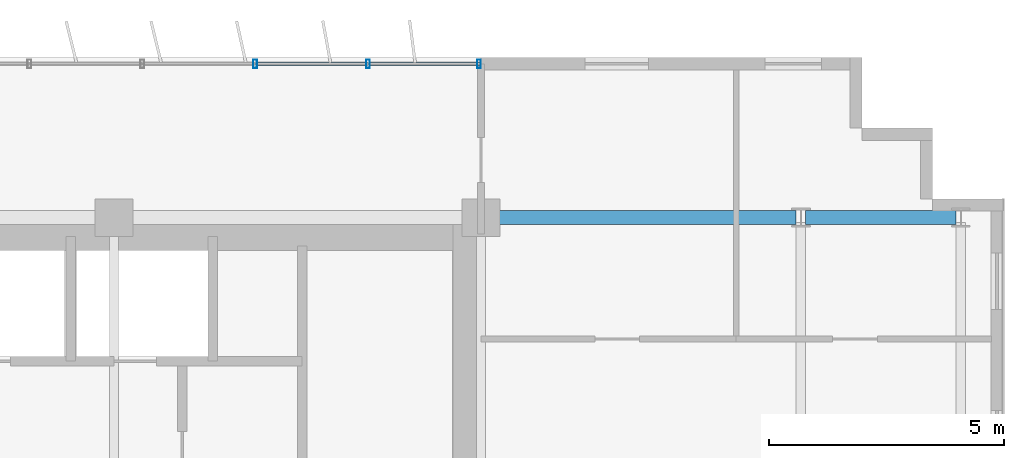
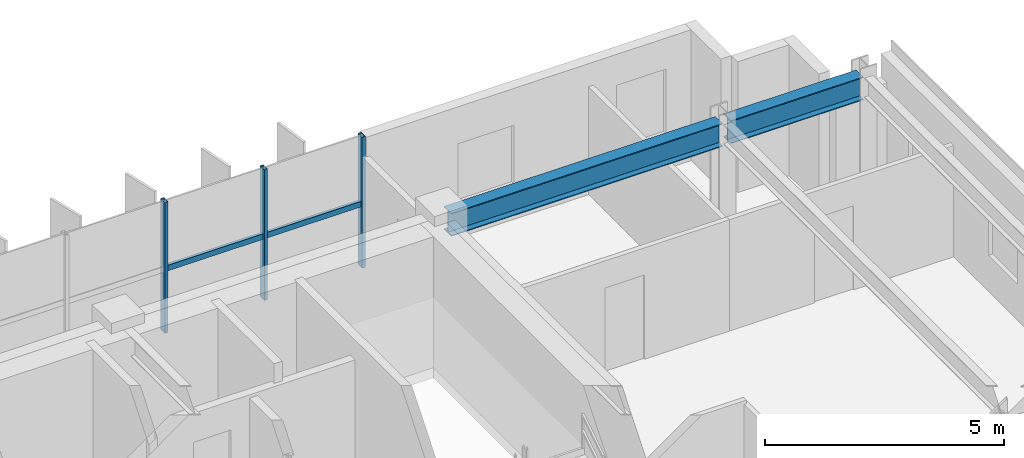
# One storey, part 11 of 22: 5 members, 2 beams, 1 element without a shape of its own.
"""IFC4 building model written with IfcOpenShell, lengths in metres."""

import ifcopenshell
import ifcopenshell.guid

model = None  # the IFC model being written
_history = None  # IfcOwnerHistory: only IFC2X3 demands one
_inside = {}  # id of a spatial element -> (the spatial element, [elements in it])
_under = {}  # id of a project, library or spatial element -> (it, [spatial elements below it])
_declared = {}  # id of a project -> (the project, [libraries it declares])
_typed = {}  # id of a type object -> (the type object, [elements of that type])
_made_of = {}  # id of a material, layer set ... -> (it, [elements and type objects made of it])


def new_model(schema):
    """Start an empty IFC model of exactly this schema.

    Asked for "IFC4X3", IfcOpenShell would pick the latest addendum, in which some entities
    have other attributes; the version numbers below select the first issue.
    IFC2X3 requires an IfcOwnerHistory on every rooted entity: one is made here for all.
    """
    global model, _history
    if schema == "IFC4X3":
        model = ifcopenshell.file(schema_version=(4, 3, 0, 0))
    else:
        model = ifcopenshell.file(schema=schema)
    _inside.clear()
    _under.clear()
    _declared.clear()
    _typed.clear()
    _made_of.clear()
    _history = None
    if model.schema == "IFC2X3":
        org = make("IfcOrganization", Name="unknown")
        user = make(
            "IfcPersonAndOrganization",
            ThePerson=make("IfcPerson", FamilyName="unknown"),
            TheOrganization=org,
        )
        app = make(
            "IfcApplication",
            ApplicationDeveloper=org,
            Version="unknown",
            ApplicationFullName="unknown",
            ApplicationIdentifier="unknown",
        )
        _history = make(
            "IfcOwnerHistory",
            OwningUser=user,
            OwningApplication=app,
            ChangeAction="ADDED",
            CreationDate=0,
        )
    return model


def make(cls, **values):
    """One entity of the class cls with the attributes given. An attribute that is None is left unset."""
    return model.create_entity(
        cls, **{name: value for name, value in values.items() if value is not None}
    )


def rooted(cls, **values):
    """An entity with a GlobalId (a new one), such as an element, a storey or a relation."""
    return make(cls, GlobalId=ifcopenshell.guid.new(), OwnerHistory=_history, **values)


def si_unit(unit_type, name, prefix=None):
    """IfcSIUnit, for example si_unit("LENGTHUNIT", "METRE", prefix="MILLI")."""
    return make("IfcSIUnit", UnitType=unit_type, Prefix=prefix, Name=name)


def assignment(units):
    """IfcUnitAssignment: the units of a project."""
    return None if units is None else make("IfcUnitAssignment", Units=units)


def point(xyz):
    """IfcCartesianPoint."""
    return None if xyz is None else make("IfcCartesianPoint", Coordinates=xyz)


def direction(xyz):
    """IfcDirection."""
    return None if xyz is None else make("IfcDirection", DirectionRatios=xyz)


def frame(location, z_axis=None, x_axis=None):
    """IfcAxis2Placement3D, a coordinate frame: its origin and axes. An axis left out is left unset."""
    return make(
        "IfcAxis2Placement3D",
        Location=point(location),
        Axis=direction(z_axis),
        RefDirection=direction(x_axis),
    )


def frame_2d(location, x_axis=None):
    """IfcAxis2Placement2D, a coordinate frame in the plane: its origin and x axis."""
    return make(
        "IfcAxis2Placement2D", Location=point(location), RefDirection=direction(x_axis)
    )


def origin():
    """The frame at (0, 0, 0) with its axes left unset."""
    return frame((0.0, 0.0, 0.0))


def origin_2d():
    """The frame at (0, 0) in the plane with its x axis left unset."""
    return frame_2d((0.0, 0.0))


def place(relative_to, where):
    """IfcLocalPlacement: puts the frame where relative to a parent placement (None: the world)."""
    return make(
        "IfcLocalPlacement", PlacementRelTo=relative_to, RelativePlacement=where
    )


def context(
    kind, dimensions, precision=None, world=None, true_north=None, identifier=None
):
    """IfcGeometricRepresentationContext, for example the 3D "Model" context."""
    return make(
        "IfcGeometricRepresentationContext",
        ContextIdentifier=identifier,
        ContextType=kind,
        CoordinateSpaceDimension=dimensions,
        Precision=precision,
        WorldCoordinateSystem=world,
        TrueNorth=true_north,
    )


def subcontext(parent, identifier, kind, view, scale=None):
    """IfcGeometricRepresentationSubContext, for example "Body" below "Model"."""
    return make(
        "IfcGeometricRepresentationSubContext",
        ContextIdentifier=identifier,
        ContextType=kind,
        ParentContext=parent,
        TargetScale=scale,
        TargetView=view,
    )


def project(units=None, contexts=None):
    """IfcProject with its units and contexts."""
    return rooted(
        "IfcProject",
        Name="project",
        RepresentationContexts=contexts,
        UnitsInContext=assignment(units),
    )


def spatial(cls, under=None, at=None, **own):
    """A site, building, storey or space (cls), placed at a placement, below another one or the project."""
    s = rooted(cls, ObjectPlacement=at, **own)
    if under is not None:
        _under.setdefault(under.id(), (under, []))[1].append(s)
    return s


def profile(cls, at=None, kind="AREA", **sizes):
    """A parametric profile (cls). Its sizes go by their IFC names, for example OverallWidth=200.0."""
    return make(cls, ProfileType=kind, Position=at, **sizes)


def hollow_rectangle(**sizes):
    """IfcRectangleHollowProfileDef."""
    return profile("IfcRectangleHollowProfileDef", **sizes)


def i_section(**sizes):
    """IfcIShapeProfileDef."""
    return profile("IfcIShapeProfileDef", **sizes)


def extrude(swept, where, along, depth):
    """IfcExtrudedAreaSolid: the profile swept, set in the frame where, extruded along a direction by depth."""
    return make(
        "IfcExtrudedAreaSolid",
        SweptArea=swept,
        Position=where,
        ExtrudedDirection=direction(along),
        Depth=depth,
    )


def shape(context_of_items, identifier, shape_type, items):
    """IfcShapeRepresentation: the items that make up one representation, for example the "Body"."""
    return make(
        "IfcShapeRepresentation",
        ContextOfItems=context_of_items,
        RepresentationIdentifier=identifier,
        RepresentationType=shape_type,
        Items=items,
    )


def source(mapping_origin, context_of_items, identifier, shape_type, items):
    """IfcRepresentationMap: a shape defined once, which mapped items show again and again."""
    return make(
        "IfcRepresentationMap",
        MappingOrigin=mapping_origin,
        MappedRepresentation=shape(context_of_items, identifier, shape_type, items),
    )


def transform(
    local_origin,
    x_axis=None,
    y_axis=None,
    z_axis=None,
    scale=None,
    scale2=None,
    scale3=None,
    uniform=True,
):
    """IfcCartesianTransformationOperator3D, or its non-uniform kind. x_axis, y_axis, z_axis: its Axis1, 2, 3."""
    if uniform:
        return make(
            "IfcCartesianTransformationOperator3D",
            Axis1=direction(x_axis),
            Axis2=direction(y_axis),
            LocalOrigin=point(local_origin),
            Scale=scale,
            Axis3=direction(z_axis),
        )
    return make(
        "IfcCartesianTransformationOperator3DnonUniform",
        Axis1=direction(x_axis),
        Axis2=direction(y_axis),
        LocalOrigin=point(local_origin),
        Scale=scale,
        Axis3=direction(z_axis),
        Scale2=scale2,
        Scale3=scale3,
    )


def mapped(mapping_source, mapping_target):
    """IfcMappedItem: shows the shape of a source again, moved by a transform."""
    return make(
        "IfcMappedItem", MappingSource=mapping_source, MappingTarget=mapping_target
    )


def material(Name=None, Category=None):
    """IfcMaterial."""
    return make("IfcMaterial", Name=Name, Category=Category)


def material_profile(
    of_material, cross_section, Name=None, Category=None, Priority=None
):
    """IfcMaterialProfile: a cross section and its material."""
    return make(
        "IfcMaterialProfile",
        Name=Name,
        Material=of_material,
        Profile=cross_section,
        Priority=Priority,
        Category=Category,
    )


def profile_set(profiles, Name=None, composite=None):
    """IfcMaterialProfileSet."""
    return make(
        "IfcMaterialProfileSet",
        Name=Name,
        MaterialProfiles=profiles,
        CompositeProfile=composite,
    )


def made_of(thing, what):
    """Note that an element or type object is made of a material, layer set ...; save() writes the relation."""
    if what is not None:
        _made_of.setdefault(what.id(), (what, []))[1].append(thing)
    return thing


def type_object(cls, material=None, **own):
    """A type object (cls), such as IfcWallType, which elements share."""
    return made_of(rooted(cls, **own), material)


def element(
    cls,
    number,
    at=None,
    inside=None,
    cuts=None,
    type_object=None,
    material=None,
    context=None,
    identifier="Body",
    shape_type=None,
    held_by="IfcProductDefinitionShape",
    body=None,
    shapes=None,
    **own,
):
    """One element of the class cls, such as IfcWall. Its Tag is "e" and its number.

    at: its placement. inside: the storey or other place that contains it. cuts: it is an
    opening in that element (IfcRelVoidsElement). A single representation is given by context,
    identifier, shape_type and body (its items); several are given by shapes. held_by: the class
    of the entity that holds the representations. save() writes the other relations.
    """
    e = rooted(cls, Tag="e%d" % number, ObjectPlacement=at, **own)
    if body is not None:
        shapes = [shape(context, identifier, shape_type, body)]
    if shapes is not None:
        e.Representation = make(held_by, Representations=shapes)
    if inside is not None:
        _inside.setdefault(inside.id(), (inside, []))[1].append(e)
    if cuts is not None:
        rooted(
            "IfcRelVoidsElement", RelatingBuildingElement=cuts, RelatedOpeningElement=e
        )
    if type_object is not None:
        _typed.setdefault(type_object.id(), (type_object, []))[1].append(e)
    return made_of(e, material)


def aggregate(whole, parts):
    """IfcRelAggregates: a whole, such as a stair, and the parts it consists of."""
    return rooted("IfcRelAggregates", RelatingObject=whole, RelatedObjects=parts)


def save(model, path):
    """Write the relations noted so far, then the file.

    IfcRelAggregates (storeys below a building ...), IfcRelContainedInSpatialStructure (elements
    in a storey), IfcRelDefinesByType, IfcRelAssociatesMaterial and IfcRelDeclares: one each for
    every whole, place, type object, material and project.
    """
    for whole, parts in _under.values():
        aggregate(whole, parts)
    for where, things in _inside.values():
        rooted(
            "IfcRelContainedInSpatialStructure",
            RelatedElements=things,
            RelatingStructure=where,
        )
    for kind, things in _typed.values():
        rooted("IfcRelDefinesByType", RelatedObjects=things, RelatingType=kind)
    for what, things in _made_of.values():
        rooted("IfcRelAssociatesMaterial", RelatedObjects=things, RelatingMaterial=what)
    for by, libraries in _declared.values():
        rooted("IfcRelDeclares", RelatingContext=by, RelatedDefinitions=libraries)
    model.write(path)


model = new_model("IFC4")

# Units and contexts
model_context = context("Model", 3, precision=1e-05, world=origin(), true_north=direction((0.0, 1.0)))
body_context = subcontext(model_context, "Body", "Model", "MODEL_VIEW")
ifc_project = project(units=[si_unit("LENGTHUNIT", "METRE"), si_unit("AREAUNIT", "SQUARE_METRE"), si_unit("VOLUMEUNIT", "CUBIC_METRE"), si_unit("PLANEANGLEUNIT", "RADIAN"), si_unit("MASSUNIT", "GRAM", prefix="KILO")], contexts=[model_context])

# Site, building, storey
site_placement = place(None, origin())
site = spatial("IfcSite", under=ifc_project, at=site_placement, CompositionType="ELEMENT")
building_placement = place(site_placement, origin())
building = spatial("IfcBuilding", under=site, at=building_placement, Name="Trelvane Seafront Commons", CompositionType="ELEMENT")
storey_placement = place(building_placement, frame((0.0, 0.0, 121.300048828125)))
storey = spatial("IfcBuildingStorey", under=building, at=storey_placement, Name="L31", CompositionType="ELEMENT", Elevation=121.300048828125)

# Beams
ifc_material_1 = material(Name="Steel SM355 (S355)", Category="steel")
ifc_material_profile_1 = material_profile(ifc_material_1, i_section(OverallWidth=0.300048828125, OverallDepth=0.587890625, WebThickness=0.011962890625, FlangeThickness=0.02001953125, at=origin_2d()), Name="H-588x300x12x20")
ifc_profile_set_1 = profile_set([ifc_material_profile_1], Name="Steel SM355 (S355)")
beam_type = type_object("IfcBeamType", Name="STR-BM-H588", PredefinedType="BEAM", material=ifc_profile_set_1)
shared_shape_1 = source(origin(), body_context, "Body", "SweptSolid", [
    extrude(i_section(OverallWidth=0.300048828125, OverallDepth=0.587890625, WebThickness=0.011962890625, FlangeThickness=0.02001953125, at=origin_2d()), origin(), (0.0, 0.0, 1.0), 3.199951171875),
])
beam_1_placement = place(storey_placement, frame((65.699951171875, 45.10009765625, 3.0458984375), z_axis=(1.0, 0.0, 0.0), x_axis=(0.0, 1.0, 0.0)))
element("IfcBeam", 1, at=beam_1_placement, inside=storey, type_object=beam_type, Name="L31 Primary Girder G-36", PredefinedType="BEAM", context=body_context, shape_type="MappedRepresentation", body=[
    mapped(shared_shape_1, transform((0.0, 0.0, 0.0), x_axis=(1.0, 0.0, 0.0), y_axis=(0.0, 1.0, 0.0), z_axis=(0.0, 0.0, 1.0), scale=1.0)),
])
shared_shape_2 = source(origin(), body_context, "Body", "SweptSolid", [
    extrude(i_section(OverallWidth=0.300048828125, OverallDepth=0.587890625, WebThickness=0.011962890625, FlangeThickness=0.02001953125, at=origin_2d()), origin(), (0.0, 0.0, 1.0), 6.550048828125),
])
beam_2_placement = place(storey_placement, frame((58.949951171875, 45.10009765625, 3.0458984375), z_axis=(1.0, 0.0, 0.0), x_axis=(0.0, 1.0, 0.0)))
element("IfcBeam", 2, at=beam_2_placement, inside=storey, type_object=beam_type, Name="L31 Primary Girder G-35", PredefinedType="BEAM", context=body_context, shape_type="MappedRepresentation", body=[
    mapped(shared_shape_2, transform((0.0, 0.0, 0.0), x_axis=(1.0, 0.0, 0.0), y_axis=(0.0, 1.0, 0.0), z_axis=(0.0, 0.0, 1.0), scale=1.0)),
])

# Curtain wall, members
ifc_material_2 = material(Name="Anodised pale-silver aluminium", Category="aluminium")
curtain_wall_type = type_object("IfcCurtainWallType", Name="ARCH-CW4-SKYLOBBY", PredefinedType="NOTDEFINED", material=ifc_material_2)
curtain_wall_placement = place(storey_placement, origin())
curtain_wall = element("IfcCurtainWall", 3, at=curtain_wall_placement, inside=storey, type_object=curtain_wall_type, Name="CW-L31-0056", PredefinedType="NOTDEFINED")
ifc_material_profile_2 = material_profile(ifc_material_2, hollow_rectangle(XDim=0.074951171875, YDim=0.139892578125, WallThickness=0.00390625, at=origin_2d()), Name="TRAN-75x140x4")
ifc_profile_set_2 = profile_set([ifc_material_profile_2], Name="Anodised pale-silver aluminium")
member_type_1 = type_object("IfcMemberType", Name="ARCH-CW-TRAN-140", PredefinedType="USERDEFINED", material=ifc_profile_set_2)
shared_shape_3 = source(origin(), body_context, "Body", "SweptSolid", [
    extrude(hollow_rectangle(XDim=0.074951171875, YDim=0.139892578125, WallThickness=0.00390625, at=origin_2d()), origin(), (0.0, 0.0, 1.0), 2.3759765625),
])
member_1_placement = place(storey_placement, frame((54.011962890625, 48.3701171875, 1.60302734375), z_axis=(1.0, 0.0, 0.0), x_axis=(0.0, 1.0, 0.0)))
member_1 = element("IfcMember", 4, at=member_1_placement, type_object=member_type_1, Name="CW-L31-0056-T16", ObjectType="TRANSOM", PredefinedType="USERDEFINED", context=body_context, shape_type="MappedRepresentation", body=[
    mapped(shared_shape_3, transform((0.0, 0.0, 0.0), x_axis=(1.0, 0.0, 0.0), y_axis=(0.0, 1.0, 0.0), z_axis=(0.0, 0.0, 1.0), scale=1.0)),
])
member_2_placement = place(storey_placement, frame((56.412109375, 48.3701171875, 1.60302734375), z_axis=(1.0, 0.0, 0.0), x_axis=(0.0, 1.0, 0.0)))
member_2 = element("IfcMember", 5, at=member_2_placement, type_object=member_type_1, Name="CW-L31-0056-T17", ObjectType="TRANSOM", PredefinedType="USERDEFINED", context=body_context, shape_type="MappedRepresentation", body=[
    mapped(shared_shape_3, transform((0.0, 0.0, 0.0), x_axis=(1.0, 0.0, 0.0), y_axis=(0.0, 1.0, 0.0), z_axis=(0.0, 0.0, 1.0), scale=1.0)),
])
ifc_material_profile_3 = material_profile(ifc_material_2, hollow_rectangle(XDim=0.080078125, YDim=0.179931640625, WallThickness=0.00439453125, at=origin_2d()), Name="MULL-80x180x4.5")
ifc_profile_set_3 = profile_set([ifc_material_profile_3], Name="Anodised pale-silver aluminium")
member_type_2 = type_object("IfcMemberType", Name="ARCH-CW-MULL-180", PredefinedType="MULLION", material=ifc_profile_set_3)
shared_shape_4 = source(origin(), body_context, "Body", "SweptSolid", [
    extrude(hollow_rectangle(XDim=0.080078125, YDim=0.179931640625, WallThickness=0.00439453125, at=origin_2d()), origin(), (0.0, 0.0, 1.0), 3.33984375),
])
member_3_placement = place(storey_placement, frame((54.0, 48.3701171875, 0.0), z_axis=(0.0, 0.0, 1.0), x_axis=(1.0, 0.0, 0.0)))
member_3 = element("IfcMember", 6, at=member_3_placement, type_object=member_type_2, Name="CW-L31-0056-M16", PredefinedType="MULLION", context=body_context, shape_type="MappedRepresentation", body=[
    mapped(shared_shape_4, transform((0.0, 0.0, 0.0), x_axis=(1.0, 0.0, 0.0), y_axis=(0.0, 1.0, 0.0), z_axis=(0.0, 0.0, 1.0), scale=1.0)),
])
member_4_placement = place(storey_placement, frame((56.39990234375, 48.3701171875, 0.0), z_axis=(0.0, 0.0, 1.0), x_axis=(1.0, 0.0, 0.0)))
member_4 = element("IfcMember", 7, at=member_4_placement, type_object=member_type_2, Name="CW-L31-0056-M17", PredefinedType="MULLION", context=body_context, shape_type="MappedRepresentation", body=[
    mapped(shared_shape_4, transform((0.0, 0.0, 0.0), x_axis=(1.0, 0.0, 0.0), y_axis=(0.0, 1.0, 0.0), z_axis=(0.0, 0.0, 1.0), scale=1.0)),
])
member_5_placement = place(storey_placement, frame((58.760009765625, 48.3701171875, 0.0), z_axis=(0.0, 0.0, 1.0), x_axis=(1.0, 0.0, 0.0)))
member_5 = element("IfcMember", 8, at=member_5_placement, type_object=member_type_2, Name="CW-L31-0056-M18", PredefinedType="MULLION", context=body_context, shape_type="MappedRepresentation", body=[
    mapped(shared_shape_4, transform((0.0, 0.0, 0.0), x_axis=(1.0, 0.0, 0.0), y_axis=(0.0, 1.0, 0.0), z_axis=(0.0, 0.0, 1.0), scale=1.0)),
])
aggregate(curtain_wall, [member_3, member_4, member_5, member_1, member_2])

save(model, "model.ifc")
